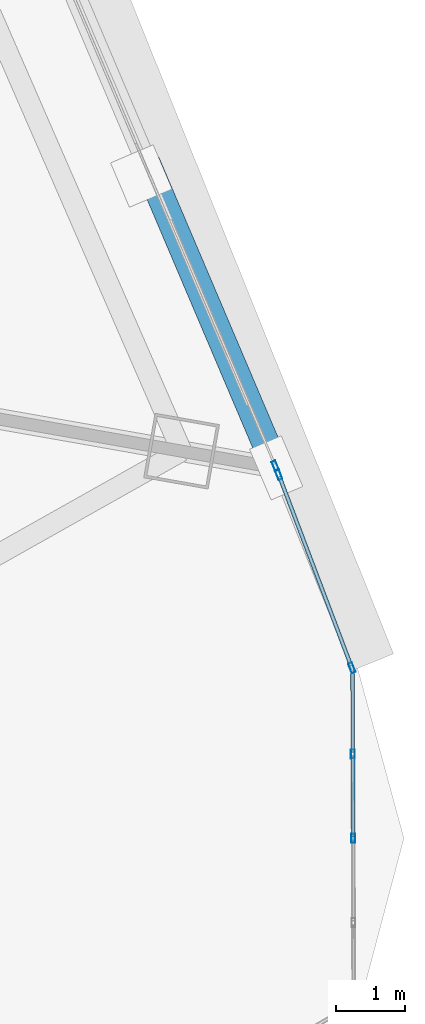
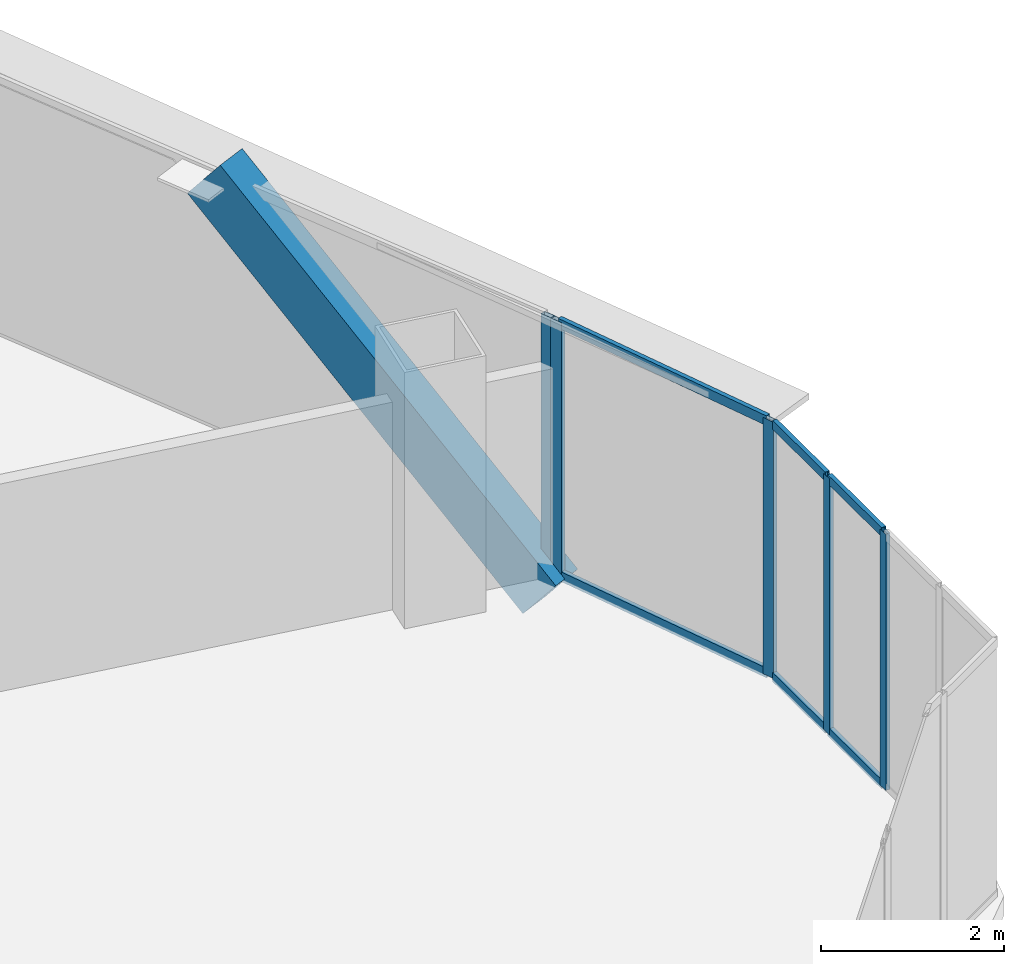
# One storey, part 26 of 40: 12 members, 3 elements without a shape of their own.
"""IFC4 building model written with IfcOpenShell, lengths in metres."""

from ifc_helpers import new_model, si_unit, direction, frame, origin, origin_2d, place, context, subcontext, project, spatial, hollow_rectangle, extrude, source, transform, mapped, material, layer, layer_set, material_profile, profile_set, type_object, element, aggregate, save


model = new_model("IFC4")

# Units and contexts
model_context = context("Model", 3, precision=1e-05, world=origin(), true_north=direction((0.0, 1.0)))
body_context = subcontext(model_context, "Body", "Model", "MODEL_VIEW")
ifc_project = project(units=[si_unit("LENGTHUNIT", "METRE"), si_unit("AREAUNIT", "SQUARE_METRE"), si_unit("VOLUMEUNIT", "CUBIC_METRE"), si_unit("PLANEANGLEUNIT", "RADIAN"), si_unit("MASSUNIT", "GRAM", prefix="KILO"), si_unit("THERMODYNAMICTEMPERATUREUNIT", "KELVIN"), si_unit("POWERUNIT", "WATT")], contexts=[model_context])

# Site, building, storey
site_placement = place(None, origin())
site = spatial("IfcSite", under=ifc_project, at=site_placement, CompositionType="ELEMENT")
building_placement = place(site_placement, origin())
building = spatial("IfcBuilding", under=site, at=building_placement, Name="Yunzhuo Pagoda Commons", CompositionType="ELEMENT")
storey_placement = place(building_placement, frame((0.0, 0.0, 159.27001953125)))
storey = spatial("IfcBuildingStorey", under=building, at=storey_placement, Name="L40", CompositionType="ELEMENT", Elevation=159.27001953125)

# Member
ifc_material_1 = material(Name="Structural steel Q355B", Category="steel")
ifc_material_profile_1 = material_profile(ifc_material_1, hollow_rectangle(XDim=0.39990234375, YDim=0.719970703125, WallThickness=0.02392578125, at=origin_2d()), Name="Structural steel Q355B")
ifc_profile_set_1 = profile_set([ifc_material_profile_1], Name="Structural steel Q355B")
member_type_1 = type_object("IfcMemberType", Name="M-DL2 Brace BOX 720x400x24", PredefinedType="BRACE", material=ifc_profile_set_1)
shared_shape_1 = source(origin(), body_context, "Body", "SweptSolid", [
    extrude(hollow_rectangle(XDim=0.39990234375, YDim=0.719970703125, WallThickness=0.02392578125, at=origin_2d()), origin(), (0.0, 0.0, 1.0), 5.883544921875),
])
member_1_placement = place(storey_placement, frame((86.3701171875, 26.934326171875, -0.260009765625), z_axis=(-0.305407668733, 0.717998490772, 0.625463286795), x_axis=(-0.920211701428, -0.391421032336, 0.0)))
element("IfcMember", 1, at=member_1_placement, inside=storey, type_object=member_type_1, Name="L40 facade diamond brace F2.1L", PredefinedType="BRACE", context=body_context, shape_type="MappedRepresentation", body=[
    mapped(shared_shape_1, transform((0.0, 0.0, 0.0), scale=1.0)),
])

# Curtain wall, member
ifc_material_2 = material(Name="Anodized aluminium 6063-T6", Category="aluminium")
ifc_layer_1 = layer(ifc_material_2, 0.14990234375)
ifc_layer_set_1 = layer_set([ifc_layer_1], Name="Anodized aluminium 6063-T6")
curtain_wall_type_1 = type_object("IfcCurtainWallType", Name="CW-MID Mid-Zone Ribbon Curtain Wall", PredefinedType="NOTDEFINED", material=ifc_layer_set_1)
curtain_wall_1_placement = place(storey_placement, origin())
curtain_wall_1 = element("IfcCurtainWall", 2, at=curtain_wall_1_placement, inside=storey, type_object=curtain_wall_type_1, Name="L40 curtain wall CW-L40-F2B2", PredefinedType="NOTDEFINED")
ifc_material_profile_2 = material_profile(ifc_material_2, hollow_rectangle(XDim=0.06005859375, YDim=0.14990234375, WallThickness=0.00390625, at=origin_2d()), Name="Anodized aluminium 6063-T6")
ifc_profile_set_2 = profile_set([ifc_material_profile_2], Name="Anodized aluminium 6063-T6")
member_type_2 = type_object("IfcMemberType", Name="CW-MID-M Mullion RHS 150x60x4", PredefinedType="MULLION", material=ifc_profile_set_2)
shared_shape_2 = source(origin(), body_context, "Body", "SweptSolid", [
    extrude(hollow_rectangle(XDim=0.06005859375, YDim=0.14990234375, WallThickness=0.00390625, at=origin_2d()), origin(), (0.0, 0.0, 1.0), 3.419677734375),
])
member_2_placement = place(storey_placement, frame((86.3583984375, 26.9619140625, 0.000244140625), z_axis=(0.0, 0.0, 1.0), x_axis=(-0.92021678471, -0.391409081572, 0.0)))
member_2 = element("IfcMember", 3, at=member_2_placement, type_object=member_type_2, Name="CW mullion 1", PredefinedType="MULLION", context=body_context, shape_type="MappedRepresentation", body=[
    mapped(shared_shape_2, transform((0.0, 0.0, 0.0), scale=1.0)),
])
aggregate(curtain_wall_1, [member_2])

# Curtain wall, members
curtain_wall_2_placement = place(storey_placement, origin())
curtain_wall_2 = element("IfcCurtainWall", 4, at=curtain_wall_2_placement, inside=storey, type_object=curtain_wall_type_1, Name="L40 curtain wall CW-L40-F2B1", PredefinedType="NOTDEFINED")
member_3_placement = place(storey_placement, frame((87.46826171875, 24.032958984375, 0.000244140625), z_axis=(0.0, 0.0, 1.0), x_axis=(-0.935246751482, -0.35399648846, 0.0)))
member_3 = element("IfcMember", 5, at=member_3_placement, type_object=member_type_2, Name="CW mullion 1", PredefinedType="MULLION", context=body_context, shape_type="MappedRepresentation", body=[
    mapped(shared_shape_2, transform((0.0, 0.0, 0.0), scale=1.0)),
])
member_4_placement = place(storey_placement, frame((86.4072265625, 26.836181640625, 0.000244140625), z_axis=(0.0, 0.0, 1.0), x_axis=(-0.935246751482, -0.35399648846, 0.0)))
member_4 = element("IfcMember", 6, at=member_4_placement, type_object=member_type_2, Name="CW mullion 2", PredefinedType="MULLION", context=body_context, shape_type="MappedRepresentation", body=[
    mapped(shared_shape_2, transform((0.0, 0.0, 0.0), scale=1.0)),
])
ifc_material_profile_3 = material_profile(ifc_material_2, hollow_rectangle(XDim=0.054931640625, YDim=0.1298828125, WallThickness=0.00341796875, at=origin_2d()), Name="Anodized aluminium 6063-T6")
ifc_profile_set_3 = profile_set([ifc_material_profile_3], Name="Anodized aluminium 6063-T6")
member_type_3 = type_object("IfcMemberType", Name="CW-MID-T Transom RHS 130x55x3.5", PredefinedType="USERDEFINED", material=ifc_profile_set_3)
shared_shape_3 = source(origin(), body_context, "Body", "SweptSolid", [
    extrude(hollow_rectangle(XDim=0.054931640625, YDim=0.1298828125, WallThickness=0.00341796875, at=origin_2d()), origin(), (0.0, 0.0, 1.0), 2.9375),
])
member_5_placement = place(storey_placement, frame((87.457763671875, 24.06103515625, 0.027587890625), z_axis=(-0.353972658674, 0.935255770852, 0.0), x_axis=(-0.935255770852, -0.353972658674, 0.0)))
member_5 = element("IfcMember", 7, at=member_5_placement, type_object=member_type_3, Name="CW transom 1.1", ObjectType="TRANSOM", PredefinedType="USERDEFINED", context=body_context, shape_type="MappedRepresentation", body=[
    mapped(shared_shape_3, transform((0.0, 0.0, 0.0), scale=1.0)),
])
member_6_placement = place(storey_placement, frame((87.457763671875, 24.06103515625, 3.392578125), z_axis=(-0.353972658674, 0.935255770852, 0.0), x_axis=(-0.935255770852, -0.353972658674, 0.0)))
member_6 = element("IfcMember", 8, at=member_6_placement, type_object=member_type_3, Name="CW transom 1.2", ObjectType="TRANSOM", PredefinedType="USERDEFINED", context=body_context, shape_type="MappedRepresentation", body=[
    mapped(shared_shape_3, transform((0.0, 0.0, 0.0), scale=1.0)),
])
aggregate(curtain_wall_2, [member_3, member_4, member_5, member_6])

ifc_layer_2 = layer(ifc_material_2, 0.1298828125)
ifc_layer_set_2 = layer_set([ifc_layer_2], Name="Anodized aluminium 6063-T6")
curtain_wall_type_2 = type_object("IfcCurtainWallType", Name="CW-VTX Rounded Corner Curtain Wall", PredefinedType="NOTDEFINED", material=ifc_layer_set_2)
curtain_wall_3_placement = place(storey_placement, origin())
curtain_wall_3 = element("IfcCurtainWall", 9, at=curtain_wall_3_placement, inside=storey, type_object=curtain_wall_type_2, Name="L40 curtain wall CW-L40-VTX2S2", PredefinedType="NOTDEFINED")
ifc_material_profile_4 = material_profile(ifc_material_2, hollow_rectangle(XDim=0.054931640625, YDim=0.1201171875, WallThickness=0.00341796875, at=origin_2d()), Name="Anodized aluminium 6063-T6")
ifc_profile_set_4 = profile_set([ifc_material_profile_4], Name="Anodized aluminium 6063-T6")
member_type_4 = type_object("IfcMemberType", Name="CW-VTX-T Transom RHS 120x55x3.5", PredefinedType="USERDEFINED", material=ifc_profile_set_4)
shared_shape_4 = source(origin(), body_context, "Body", "SweptSolid", [
    extrude(hollow_rectangle(XDim=0.054931640625, YDim=0.1201171875, WallThickness=0.00341796875, at=origin_2d()), origin(), (0.0, 0.0, 1.0), 1.141845703125),
])
member_7_placement = place(storey_placement, frame((87.4833984375, 22.807861328125, 0.027587890625), z_axis=(-0.003634784627, 0.999993394149, 0.0), x_axis=(-0.999993394149, -0.003634784627, 0.0)))
member_7 = element("IfcMember", 10, at=member_7_placement, type_object=member_type_4, Name="CW transom 4.1", ObjectType="TRANSOM", PredefinedType="USERDEFINED", context=body_context, shape_type="MappedRepresentation", body=[
    mapped(shared_shape_4, transform((0.0, 0.0, 0.0), scale=1.0)),
])
member_8_placement = place(storey_placement, frame((87.4833984375, 22.807861328125, 3.392578125), z_axis=(-0.003634784627, 0.999993394149, 0.0), x_axis=(-0.999993394149, -0.003634784627, 0.0)))
member_8 = element("IfcMember", 11, at=member_8_placement, type_object=member_type_4, Name="CW transom 4.2", ObjectType="TRANSOM", PredefinedType="USERDEFINED", context=body_context, shape_type="MappedRepresentation", body=[
    mapped(shared_shape_4, transform((0.0, 0.0, 0.0), scale=1.0)),
])
shared_shape_5 = source(origin(), body_context, "Body", "SweptSolid", [
    extrude(hollow_rectangle(XDim=0.054931640625, YDim=0.1201171875, WallThickness=0.00341796875, at=origin_2d()), origin(), (0.0, 0.0, 1.0), 1.16943359375),
])
member_9_placement = place(storey_placement, frame((87.48779296875, 21.58349609375, 0.027587890625), z_axis=(-0.003757802278, 0.999992939436, 0.0), x_axis=(-0.999992939436, -0.003757802278, 0.0)))
member_9 = element("IfcMember", 12, at=member_9_placement, type_object=member_type_4, Name="CW transom 3.1", ObjectType="TRANSOM", PredefinedType="USERDEFINED", context=body_context, shape_type="MappedRepresentation", body=[
    mapped(shared_shape_5, transform((0.0, 0.0, 0.0), scale=1.0)),
])
member_10_placement = place(storey_placement, frame((87.48779296875, 21.58349609375, 3.392578125), z_axis=(-0.003757802278, 0.999992939436, 0.0), x_axis=(-0.999992939436, -0.003757802278, 0.0)))
member_10 = element("IfcMember", 13, at=member_10_placement, type_object=member_type_4, Name="CW transom 3.2", ObjectType="TRANSOM", PredefinedType="USERDEFINED", context=body_context, shape_type="MappedRepresentation", body=[
    mapped(shared_shape_5, transform((0.0, 0.0, 0.0), scale=1.0)),
])
ifc_material_profile_5 = material_profile(ifc_material_2, hollow_rectangle(XDim=0.054931640625, YDim=0.1298828125, WallThickness=0.00341796875, at=origin_2d()), Name="Anodized aluminium 6063-T6")
ifc_profile_set_5 = profile_set([ifc_material_profile_5], Name="Anodized aluminium 6063-T6")
member_type_5 = type_object("IfcMemberType", Name="CW-VTX-M Mullion RHS 130x55x3.5", PredefinedType="MULLION", material=ifc_profile_set_5)
shared_shape_6 = source(origin(), body_context, "Body", "SweptSolid", [
    extrude(hollow_rectangle(XDim=0.054931640625, YDim=0.1298828125, WallThickness=0.00341796875, at=origin_2d()), origin(), (0.0, 0.0, 1.0), 3.419677734375),
])
member_11_placement = place(storey_placement, frame((87.48779296875, 21.55615234375, 0.000244140625), z_axis=(0.0, 0.0, 1.0), x_axis=(-0.999993542566, -0.00359372042, 0.0)))
member_11 = element("IfcMember", 14, at=member_11_placement, type_object=member_type_5, Name="CW mullion 3", PredefinedType="MULLION", context=body_context, shape_type="MappedRepresentation", body=[
    mapped(shared_shape_6, transform((0.0, 0.0, 0.0), scale=1.0)),
])
member_12_placement = place(storey_placement, frame((87.4833984375, 22.780517578125, 0.000244140625), z_axis=(0.0, 0.0, 1.0), x_axis=(-0.999993542566, -0.00359372042, 0.0)))
member_12 = element("IfcMember", 15, at=member_12_placement, type_object=member_type_5, Name="CW mullion 4", PredefinedType="MULLION", context=body_context, shape_type="MappedRepresentation", body=[
    mapped(shared_shape_6, transform((0.0, 0.0, 0.0), scale=1.0)),
])
aggregate(curtain_wall_3, [member_11, member_12, member_9, member_10, member_7, member_8])

save(model, "model.ifc")
